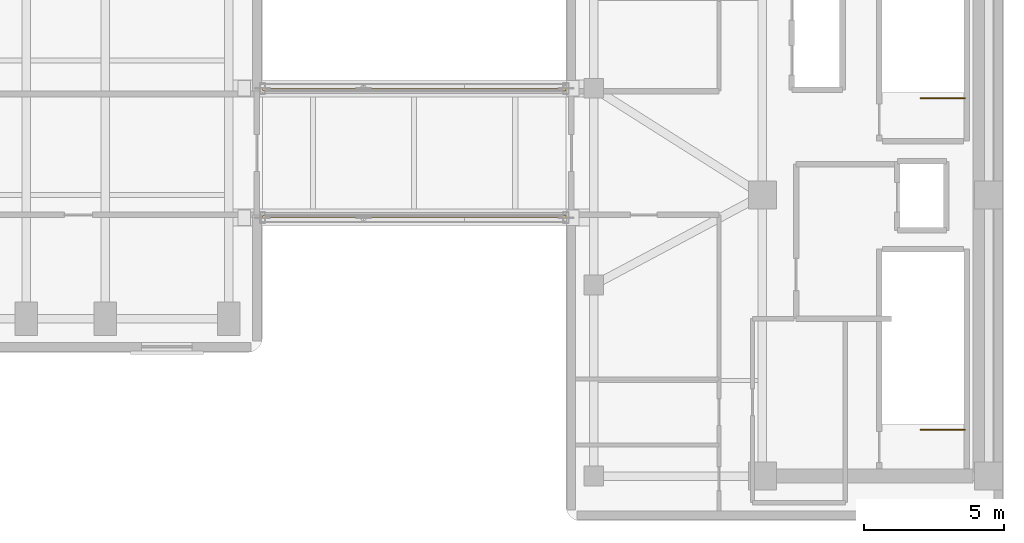
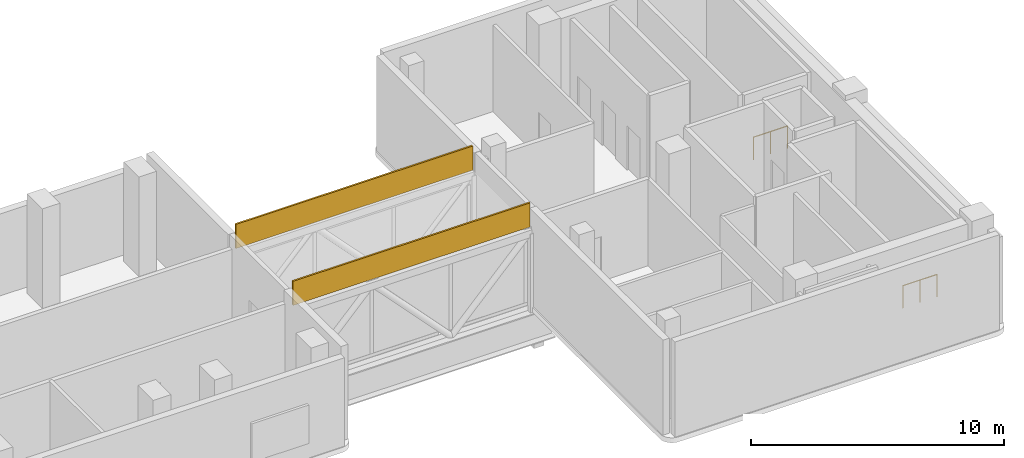
# One storey, part 17 of 17: 2 coverings, 2 railings.
"""IFC4 building model written with IfcOpenShell, lengths in metres."""

from ifc_helpers import new_model, si_unit, direction, frame, origin, origin_2d, place, context, subcontext, project, spatial, rectangle, circle, extrude, material, layer, layer_set, type_object, element, save


model = new_model("IFC4")

# Units and contexts
model_context = context("Model", 3, precision=1e-05, world=origin(), true_north=direction((0.0, 1.0)))
body_context = subcontext(model_context, "Body", "Model", "MODEL_VIEW")
ifc_project = project(units=[si_unit("LENGTHUNIT", "METRE"), si_unit("AREAUNIT", "SQUARE_METRE"), si_unit("VOLUMEUNIT", "CUBIC_METRE"), si_unit("PLANEANGLEUNIT", "RADIAN"), si_unit("MASSUNIT", "GRAM", prefix="KILO")], contexts=[model_context])

# Site, building, storey
site_placement = place(None, origin())
site = spatial("IfcSite", under=ifc_project, at=site_placement, CompositionType="ELEMENT")
building_placement = place(site_placement, origin())
building = spatial("IfcBuilding", under=site, at=building_placement, Name="Kuzgunbayir Cultural Tower", CompositionType="ELEMENT")
storey_placement = place(building_placement, frame((0.0, 0.0, 102.60009765625)))
storey = spatial("IfcBuildingStorey", under=building, at=storey_placement, Name="L29", CompositionType="ELEMENT", Elevation=102.60009765625)

# Coverings
ifc_material_1 = material(Name="Anatolian Cream Limestone", Category="masonry")
ifc_layer_1 = layer(ifc_material_1, 0.06005859375)
ifc_layer_set_1 = layer_set([ifc_layer_1], Name="Anatolian Cream Limestone")
covering_type = type_object("IfcCoveringType", Name="COV-CLAD-LIMESTONE-6", PredefinedType="CLADDING", material=ifc_layer_set_1)
for number, where, z_axis, x_axis, name in (
    (1, (52.199951171875, 31.239990234375, 3.75), (0.0, 0.0, 1.0), (1.0, 0.0, 0.0), "L29 Skybridge Roof South Coping Fascia"),
    (2, (52.199951171875, 35.760009765625, 3.75), (0.0, 0.0, 1.0), (1.0, 0.0, 0.0), "L29 Skybridge Roof North Coping Fascia"),
):
    element("IfcCovering", number, at=place(storey_placement, frame(where, z_axis=z_axis, x_axis=x_axis)), inside=storey, type_object=covering_type, Name=name, PredefinedType="CLADDING", context=body_context, shape_type="SweptSolid", body=[
        extrude(rectangle(XDim=10.800048828125, YDim=0.080078125, at=origin_2d()), origin(), (0.0, 0.0, 1.0), 1.159912109375),
    ])

# Railings
ifc_material_2 = material(Name="Painted Steel Balustrade", Category="steel")
ifc_layer_2 = layer(ifc_material_2, 0.06005859375)
ifc_layer_set_2 = layer_set([ifc_layer_2], Name="Painted Steel Balustrade")
railing_type = type_object("IfcRailingType", Name="RLG-WELL-GUARD", PredefinedType="GUARDRAIL", material=ifc_layer_set_2)
for number, where, name in (
    (3, (71.800048828125, 23.64990234375, 0.0), "L29 ST-3 top well guard 1"),
    (4, (71.800048828125, 35.449951171875, 0.0), "L29 ST-4 top well guard 1"),
):
    element("IfcRailing", number, at=place(storey_placement, frame(where)), inside=storey, type_object=railing_type, Name=name, PredefinedType="GUARDRAIL", context=body_context, shape_type="SweptSolid", body=[
        extrude(circle(Radius=0.02392578125, at=origin_2d()), frame((0.0, 0.0, 1.076171875), z_axis=(-1.0, 0.0, 0.0), x_axis=(0.0, -1.0, 0.0)), (0.0, 0.0, 1.0), 1.56005859375),
        extrude(circle(Radius=0.02099609375, at=origin_2d()), origin(), (0.0, 0.0, 1.0), 1.052001953125),
        extrude(circle(Radius=0.02099609375, at=origin_2d()), frame((-0.780029296875, 0.0, 0.0)), (0.0, 0.0, 1.0), 1.052001953125),
        extrude(circle(Radius=0.02099609375, at=origin_2d()), frame((-1.56005859375, 0.0, 0.0)), (0.0, 0.0, 1.0), 1.052001953125),
    ])

save(model, "model.ifc")
